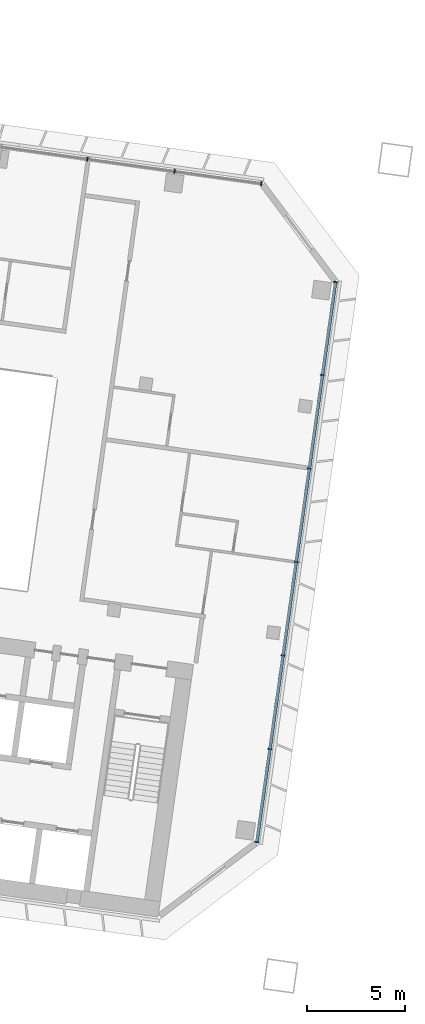
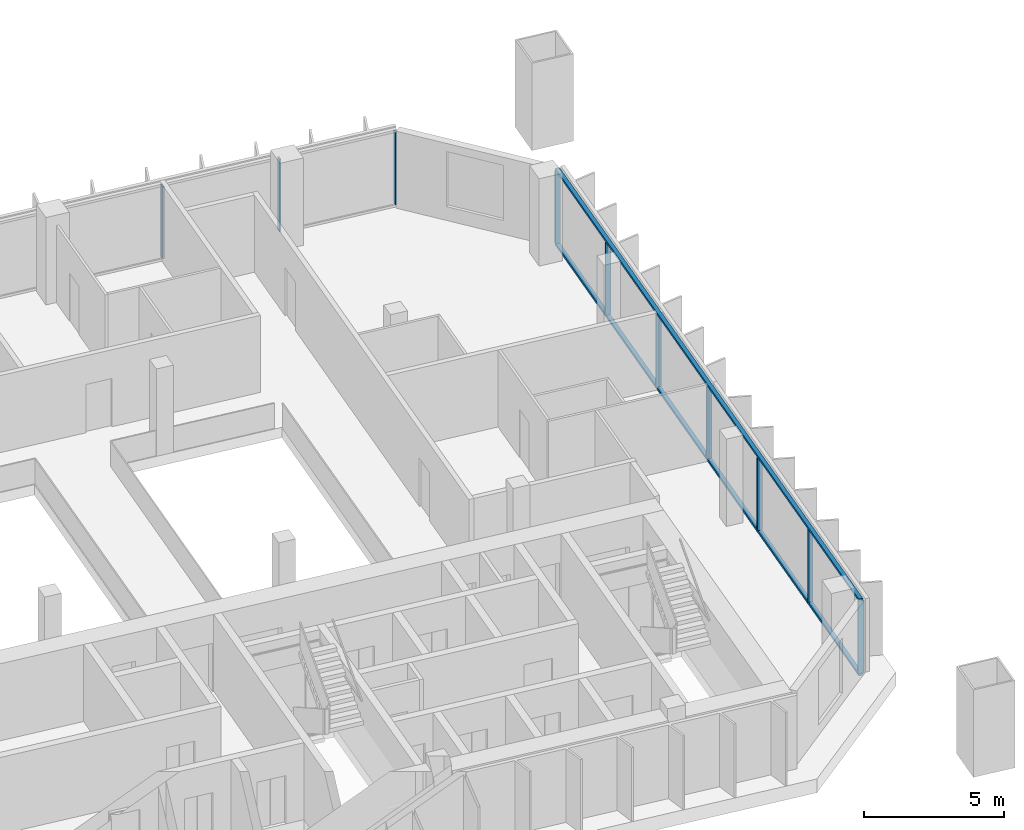
# One storey, part 6 of 25: 12 members, 2 elements without a shape of their own.
"""IFC4 building model written with IfcOpenShell, lengths in metres."""

from ifc_helpers import new_model, si_unit, direction, frame, origin, origin_2d, place, context, subcontext, project, spatial, rectangle, extrude, material, material_profile, profile_set, type_object, element, aggregate, save


model = new_model("IFC4")

# Units and contexts
model_context = context("Model", 3, precision=1e-05, world=origin(), true_north=direction((0.0, 1.0)))
body_context = subcontext(model_context, "Body", "Model", "MODEL_VIEW")
ifc_project = project(units=[si_unit("LENGTHUNIT", "METRE"), si_unit("AREAUNIT", "SQUARE_METRE"), si_unit("VOLUMEUNIT", "CUBIC_METRE"), si_unit("PLANEANGLEUNIT", "RADIAN"), si_unit("MASSUNIT", "GRAM", prefix="KILO")], contexts=[model_context])

# Site, building, storey
site_placement = place(None, origin())
site = spatial("IfcSite", under=ifc_project, at=site_placement, CompositionType="ELEMENT")
building_placement = place(site_placement, origin())
building = spatial("IfcBuilding", under=site, at=building_placement, Name="Mirante Cascada Hotel Towers", CompositionType="ELEMENT")
storey_placement = place(building_placement, frame((0.0, 0.0, 136.7)))
storey = spatial("IfcBuildingStorey", under=building, at=storey_placement, Name="L31", CompositionType="ELEMENT", Elevation=136.7)

# Curtain wall, members
ifc_material_1 = material(Name="Aluminium mullion and transom frame with clear laminated glass", Category="aluminium")
curtain_wall_type_1 = type_object("IfcCurtainWallType", Name="Ribbon curtain wall ECW1", PredefinedType="NOTDEFINED", material=ifc_material_1)
curtain_wall_1_placement = place(storey_placement, origin())
curtain_wall_1 = element("IfcCurtainWall", 1, at=curtain_wall_1_placement, inside=storey, type_object=curtain_wall_type_1, Name="Front ribbon wall T1 L31", PredefinedType="NOTDEFINED")
ifc_material_2 = material(Name="Anodised aluminium extrusion", Category="aluminium")
ifc_material_profile_1 = material_profile(ifc_material_2, rectangle(XDim=0.2, YDim=0.065, at=origin_2d()), Name="ECW1 MULLION 65x200")
ifc_profile_set_1 = profile_set([ifc_material_profile_1], Name="Anodised aluminium extrusion")
member_type_1 = type_object("IfcMemberType", Name="ECW1 mullion 65x200", PredefinedType="MULLION", material=ifc_profile_set_1)
member_1_placement = place(storey_placement, frame((-40.7892, 18.5516, 0.1), z_axis=(0.0, 0.0, 1.0), x_axis=(0.1391731, 0.9902681, 0.0)))
member_1 = element("IfcMember", 2, at=member_1_placement, type_object=member_type_1, Name="ECW1 mullion 13", PredefinedType="MULLION", context=body_context, shape_type="SweptSolid", body=[
    extrude(rectangle(XDim=0.2, YDim=0.065, at=origin_2d()), origin(), (0.0, 0.0, 1.0), 3.15),
])
member_2_placement = place(storey_placement, frame((-36.3417, 17.9265, 0.1), z_axis=(0.0, 0.0, 1.0), x_axis=(0.1391731, 0.9902681, 0.0)))
member_2 = element("IfcMember", 3, at=member_2_placement, type_object=member_type_1, Name="ECW1 mullion 14", PredefinedType="MULLION", context=body_context, shape_type="SweptSolid", body=[
    extrude(rectangle(XDim=0.2, YDim=0.065, at=origin_2d()), origin(), (0.0, 0.0, 1.0), 3.15),
])
member_3_placement = place(storey_placement, frame((-31.9265, 17.306, 0.1), z_axis=(0.0, 0.0, 1.0), x_axis=(0.1391731, 0.9902681, 0.0)))
member_3 = element("IfcMember", 4, at=member_3_placement, type_object=member_type_1, Name="ECW1 mullion 15", PredefinedType="MULLION", context=body_context, shape_type="SweptSolid", body=[
    extrude(rectangle(XDim=0.2, YDim=0.065, at=origin_2d()), origin(), (0.0, 0.0, 1.0), 3.15),
])
aggregate(curtain_wall_1, [member_1, member_2, member_3])

ifc_material_3 = material(Name="Aluminium mullion and transom frame with clear laminated glass", Category="aluminium")
curtain_wall_type_2 = type_object("IfcCurtainWallType", Name="End ribbon curtain wall ECW2", PredefinedType="NOTDEFINED", material=ifc_material_3)
curtain_wall_2_placement = place(storey_placement, origin())
curtain_wall_2 = element("IfcCurtainWall", 5, at=curtain_wall_2_placement, inside=storey, type_object=curtain_wall_type_2, Name="Inner end wall T1 L31", PredefinedType="NOTDEFINED")
ifc_material_4 = material(Name="Anodised aluminium extrusion", Category="aluminium")
ifc_material_profile_2 = material_profile(ifc_material_4, rectangle(XDim=0.2, YDim=0.065, at=origin_2d()), Name="ECW2 MULLION 65x200")
ifc_profile_set_2 = profile_set([ifc_material_profile_2], Name="Anodised aluminium extrusion")
member_type_2 = type_object("IfcMemberType", Name="ECW2 mullion 65x200", PredefinedType="MULLION", material=ifc_profile_set_2)
member_4_placement = place(storey_placement, frame((-28.1437, 12.2861, 0.1), z_axis=(0.0, 0.0, 1.0), x_axis=(0.9902681, -0.1391731, 0.0)))
member_4 = element("IfcMember", 6, at=member_4_placement, type_object=member_type_2, Name="ECW2 mullion 1", PredefinedType="MULLION", context=body_context, shape_type="SweptSolid", body=[
    extrude(rectangle(XDim=0.2, YDim=0.065, at=origin_2d()), origin(), (0.0, 0.0, 1.0), 3.15),
])
member_5_placement = place(storey_placement, frame((-28.809, 7.5524, 0.1), z_axis=(0.0, 0.0, 1.0), x_axis=(0.9902681, -0.1391731, 0.0)))
member_5 = element("IfcMember", 7, at=member_5_placement, type_object=member_type_2, Name="ECW2 mullion 2", PredefinedType="MULLION", context=body_context, shape_type="SweptSolid", body=[
    extrude(rectangle(XDim=0.2, YDim=0.065, at=origin_2d()), origin(), (0.0, 0.0, 1.0), 3.15),
])
member_6_placement = place(storey_placement, frame((-29.4788, 2.7867, 0.1), z_axis=(0.0, 0.0, 1.0), x_axis=(0.9902681, -0.1391731, 0.0)))
member_6 = element("IfcMember", 8, at=member_6_placement, type_object=member_type_2, Name="ECW2 mullion 3", PredefinedType="MULLION", context=body_context, shape_type="SweptSolid", body=[
    extrude(rectangle(XDim=0.2, YDim=0.065, at=origin_2d()), origin(), (0.0, 0.0, 1.0), 3.15),
])
member_7_placement = place(storey_placement, frame((-30.1485, -1.9791, 0.1), z_axis=(0.0, 0.0, 1.0), x_axis=(0.9902681, -0.1391731, 0.0)))
member_7 = element("IfcMember", 9, at=member_7_placement, type_object=member_type_2, Name="ECW2 mullion 4", PredefinedType="MULLION", context=body_context, shape_type="SweptSolid", body=[
    extrude(rectangle(XDim=0.2, YDim=0.065, at=origin_2d()), origin(), (0.0, 0.0, 1.0), 3.15),
])
member_8_placement = place(storey_placement, frame((-30.8183, -6.7449, 0.1), z_axis=(0.0, 0.0, 1.0), x_axis=(0.9902681, -0.1391731, 0.0)))
member_8 = element("IfcMember", 10, at=member_8_placement, type_object=member_type_2, Name="ECW2 mullion 5", PredefinedType="MULLION", context=body_context, shape_type="SweptSolid", body=[
    extrude(rectangle(XDim=0.2, YDim=0.065, at=origin_2d()), origin(), (0.0, 0.0, 1.0), 3.15),
])
member_9_placement = place(storey_placement, frame((-31.4881, -11.5107, 0.1), z_axis=(0.0, 0.0, 1.0), x_axis=(0.9902681, -0.1391731, 0.0)))
member_9 = element("IfcMember", 11, at=member_9_placement, type_object=member_type_2, Name="ECW2 mullion 6", PredefinedType="MULLION", context=body_context, shape_type="SweptSolid", body=[
    extrude(rectangle(XDim=0.2, YDim=0.065, at=origin_2d()), origin(), (0.0, 0.0, 1.0), 3.15),
])
member_10_placement = place(storey_placement, frame((-32.1534, -16.2443, 0.1), z_axis=(0.0, 0.0, 1.0), x_axis=(0.9902681, -0.1391731, 0.0)))
member_10 = element("IfcMember", 12, at=member_10_placement, type_object=member_type_2, Name="ECW2 mullion 7", PredefinedType="MULLION", context=body_context, shape_type="SweptSolid", body=[
    extrude(rectangle(XDim=0.2, YDim=0.065, at=origin_2d()), origin(), (0.0, 0.0, 1.0), 3.15),
])
ifc_material_5 = material(Name="Anodised aluminium extrusion", Category="aluminium")
ifc_material_profile_3 = material_profile(ifc_material_5, rectangle(XDim=0.16, YDim=0.1, at=origin_2d()), Name="ECW2 TRANSOM 100x160")
ifc_profile_set_3 = profile_set([ifc_material_profile_3], Name="Anodised aluminium extrusion")
member_type_3 = type_object("IfcMemberType", Name="ECW2 transom 100x160", PredefinedType="USERDEFINED", material=ifc_profile_set_3)
member_11_placement = place(storey_placement, frame((-28.1392, 12.3182, 0.05), z_axis=(-0.1391723, -0.9902682, 0.0), x_axis=(0.9902682, -0.1391723, 0.0)))
member_11 = element("IfcMember", 13, at=member_11_placement, type_object=member_type_3, Name="ECW2 sill transom", ObjectType="TRANSOM", PredefinedType="USERDEFINED", context=body_context, shape_type="SweptSolid", body=[
    extrude(rectangle(XDim=0.16, YDim=0.1, at=origin_2d()), origin(), (0.0, 0.0, 1.0), 28.8757),
])
member_12_placement = place(storey_placement, frame((-28.1392, 12.3182, 3.3), z_axis=(-0.1391723, -0.9902682, 0.0), x_axis=(0.9902682, -0.1391723, 0.0)))
member_12 = element("IfcMember", 14, at=member_12_placement, type_object=member_type_3, Name="ECW2 head transom", ObjectType="TRANSOM", PredefinedType="USERDEFINED", context=body_context, shape_type="SweptSolid", body=[
    extrude(rectangle(XDim=0.16, YDim=0.1, at=origin_2d()), origin(), (0.0, 0.0, 1.0), 28.8757),
])
aggregate(curtain_wall_2, [member_11, member_12, member_4, member_5, member_6, member_7, member_8, member_9, member_10])

save(model, "model.ifc")
